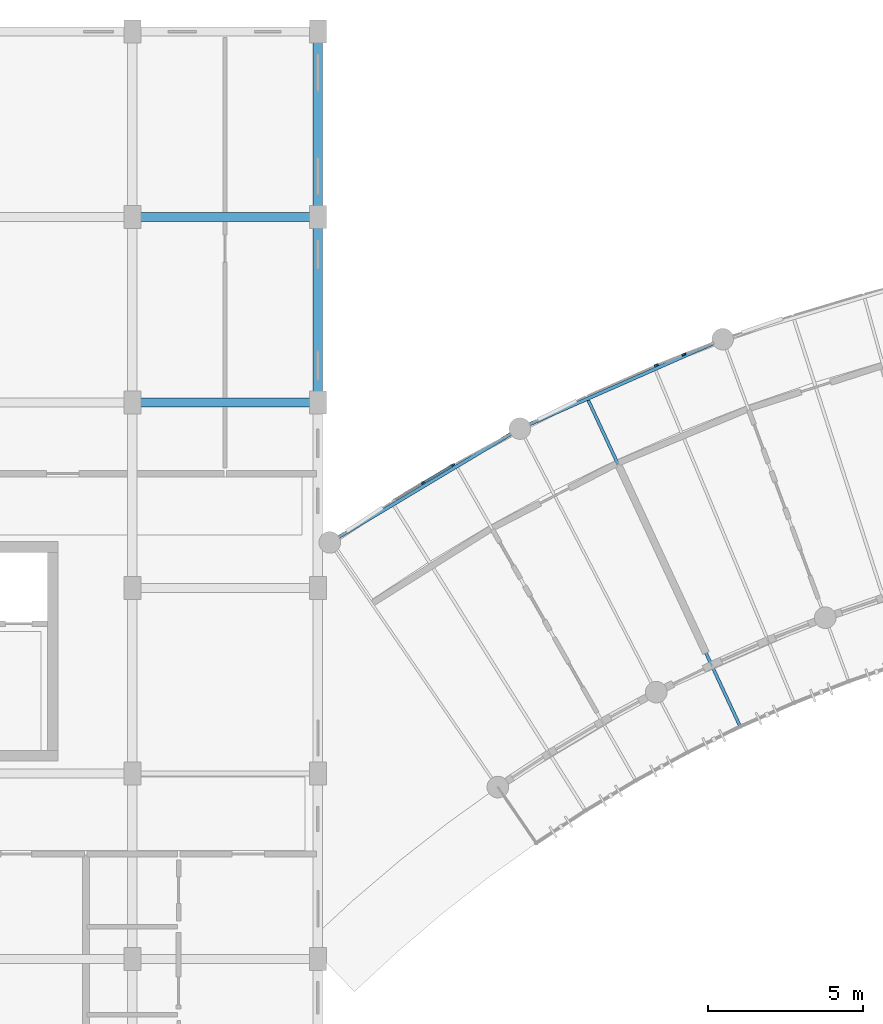
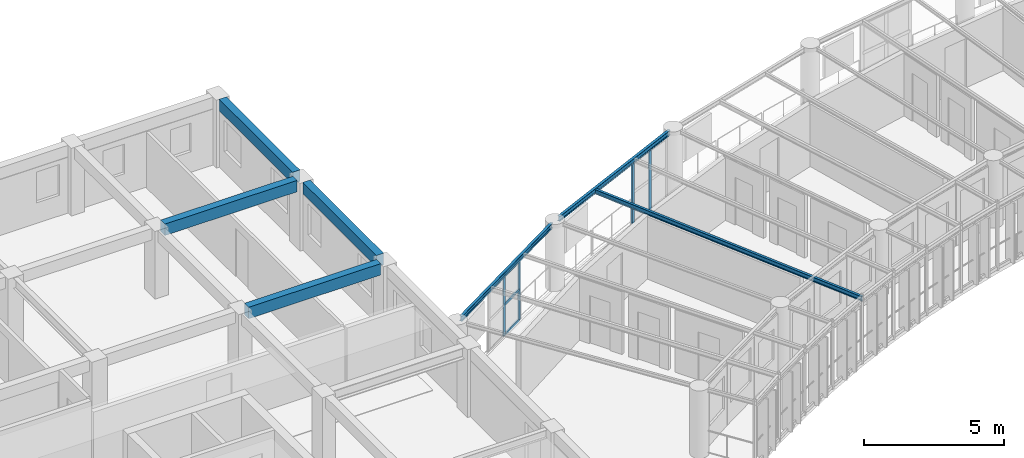
# One storey, part 31 of 100: 7 beams, 7 members, 2 elements without a shape of their own.
"""IFC4 building model written with IfcOpenShell, lengths in metres."""

import ifcopenshell
import ifcopenshell.guid

model = None  # the IFC model being written
_history = None  # IfcOwnerHistory: only IFC2X3 demands one
_inside = {}  # id of a spatial element -> (the spatial element, [elements in it])
_under = {}  # id of a project, library or spatial element -> (it, [spatial elements below it])
_declared = {}  # id of a project -> (the project, [libraries it declares])
_typed = {}  # id of a type object -> (the type object, [elements of that type])
_made_of = {}  # id of a material, layer set ... -> (it, [elements and type objects made of it])


def new_model(schema):
    """Start an empty IFC model of exactly this schema.

    Asked for "IFC4X3", IfcOpenShell would pick the latest addendum, in which some entities
    have other attributes; the version numbers below select the first issue.
    IFC2X3 requires an IfcOwnerHistory on every rooted entity: one is made here for all.
    """
    global model, _history
    if schema == "IFC4X3":
        model = ifcopenshell.file(schema_version=(4, 3, 0, 0))
    else:
        model = ifcopenshell.file(schema=schema)
    _inside.clear()
    _under.clear()
    _declared.clear()
    _typed.clear()
    _made_of.clear()
    _history = None
    if model.schema == "IFC2X3":
        org = make("IfcOrganization", Name="unknown")
        user = make(
            "IfcPersonAndOrganization",
            ThePerson=make("IfcPerson", FamilyName="unknown"),
            TheOrganization=org,
        )
        app = make(
            "IfcApplication",
            ApplicationDeveloper=org,
            Version="unknown",
            ApplicationFullName="unknown",
            ApplicationIdentifier="unknown",
        )
        _history = make(
            "IfcOwnerHistory",
            OwningUser=user,
            OwningApplication=app,
            ChangeAction="ADDED",
            CreationDate=0,
        )
    return model


def make(cls, **values):
    """One entity of the class cls with the attributes given. An attribute that is None is left unset."""
    return model.create_entity(
        cls, **{name: value for name, value in values.items() if value is not None}
    )


def rooted(cls, **values):
    """An entity with a GlobalId (a new one), such as an element, a storey or a relation."""
    return make(cls, GlobalId=ifcopenshell.guid.new(), OwnerHistory=_history, **values)


def si_unit(unit_type, name, prefix=None):
    """IfcSIUnit, for example si_unit("LENGTHUNIT", "METRE", prefix="MILLI")."""
    return make("IfcSIUnit", UnitType=unit_type, Prefix=prefix, Name=name)


def assignment(units):
    """IfcUnitAssignment: the units of a project."""
    return None if units is None else make("IfcUnitAssignment", Units=units)


def point(xyz):
    """IfcCartesianPoint."""
    return None if xyz is None else make("IfcCartesianPoint", Coordinates=xyz)


def direction(xyz):
    """IfcDirection."""
    return None if xyz is None else make("IfcDirection", DirectionRatios=xyz)


def frame(location, z_axis=None, x_axis=None):
    """IfcAxis2Placement3D, a coordinate frame: its origin and axes. An axis left out is left unset."""
    return make(
        "IfcAxis2Placement3D",
        Location=point(location),
        Axis=direction(z_axis),
        RefDirection=direction(x_axis),
    )


def frame_2d(location, x_axis=None):
    """IfcAxis2Placement2D, a coordinate frame in the plane: its origin and x axis."""
    return make(
        "IfcAxis2Placement2D", Location=point(location), RefDirection=direction(x_axis)
    )


def origin():
    """The frame at (0, 0, 0) with its axes left unset."""
    return frame((0.0, 0.0, 0.0))


def origin_2d():
    """The frame at (0, 0) in the plane with its x axis left unset."""
    return frame_2d((0.0, 0.0))


def place(relative_to, where):
    """IfcLocalPlacement: puts the frame where relative to a parent placement (None: the world)."""
    return make(
        "IfcLocalPlacement", PlacementRelTo=relative_to, RelativePlacement=where
    )


def context(
    kind, dimensions, precision=None, world=None, true_north=None, identifier=None
):
    """IfcGeometricRepresentationContext, for example the 3D "Model" context."""
    return make(
        "IfcGeometricRepresentationContext",
        ContextIdentifier=identifier,
        ContextType=kind,
        CoordinateSpaceDimension=dimensions,
        Precision=precision,
        WorldCoordinateSystem=world,
        TrueNorth=true_north,
    )


def subcontext(parent, identifier, kind, view, scale=None):
    """IfcGeometricRepresentationSubContext, for example "Body" below "Model"."""
    return make(
        "IfcGeometricRepresentationSubContext",
        ContextIdentifier=identifier,
        ContextType=kind,
        ParentContext=parent,
        TargetScale=scale,
        TargetView=view,
    )


def project(units=None, contexts=None):
    """IfcProject with its units and contexts."""
    return rooted(
        "IfcProject",
        Name="project",
        RepresentationContexts=contexts,
        UnitsInContext=assignment(units),
    )


def spatial(cls, under=None, at=None, **own):
    """A site, building, storey or space (cls), placed at a placement, below another one or the project."""
    s = rooted(cls, ObjectPlacement=at, **own)
    if under is not None:
        _under.setdefault(under.id(), (under, []))[1].append(s)
    return s


def profile(cls, at=None, kind="AREA", **sizes):
    """A parametric profile (cls). Its sizes go by their IFC names, for example OverallWidth=200.0."""
    return make(cls, ProfileType=kind, Position=at, **sizes)


def rectangle(**sizes):
    """IfcRectangleProfileDef."""
    return profile("IfcRectangleProfileDef", **sizes)


def i_section(**sizes):
    """IfcIShapeProfileDef."""
    return profile("IfcIShapeProfileDef", **sizes)


def extrude(swept, where, along, depth):
    """IfcExtrudedAreaSolid: the profile swept, set in the frame where, extruded along a direction by depth."""
    return make(
        "IfcExtrudedAreaSolid",
        SweptArea=swept,
        Position=where,
        ExtrudedDirection=direction(along),
        Depth=depth,
    )


def shape(context_of_items, identifier, shape_type, items):
    """IfcShapeRepresentation: the items that make up one representation, for example the "Body"."""
    return make(
        "IfcShapeRepresentation",
        ContextOfItems=context_of_items,
        RepresentationIdentifier=identifier,
        RepresentationType=shape_type,
        Items=items,
    )


def material(Name=None, Category=None):
    """IfcMaterial."""
    return make("IfcMaterial", Name=Name, Category=Category)


def layer(
    of_material, thickness, ventilated=None, Name=None, Category=None, Priority=None
):
    """IfcMaterialLayer: one layer of a wall or slab, of a material (None: an air gap)."""
    return make(
        "IfcMaterialLayer",
        Material=of_material,
        LayerThickness=thickness,
        IsVentilated=ventilated,
        Name=Name,
        Category=Category,
        Priority=Priority,
    )


def layer_set(layers, Name=None):
    """IfcMaterialLayerSet."""
    return make("IfcMaterialLayerSet", MaterialLayers=layers, LayerSetName=Name)


def material_profile(
    of_material, cross_section, Name=None, Category=None, Priority=None
):
    """IfcMaterialProfile: a cross section and its material."""
    return make(
        "IfcMaterialProfile",
        Name=Name,
        Material=of_material,
        Profile=cross_section,
        Priority=Priority,
        Category=Category,
    )


def profile_set(profiles, Name=None, composite=None):
    """IfcMaterialProfileSet."""
    return make(
        "IfcMaterialProfileSet",
        Name=Name,
        MaterialProfiles=profiles,
        CompositeProfile=composite,
    )


def made_of(thing, what):
    """Note that an element or type object is made of a material, layer set ...; save() writes the relation."""
    if what is not None:
        _made_of.setdefault(what.id(), (what, []))[1].append(thing)
    return thing


def type_object(cls, material=None, **own):
    """A type object (cls), such as IfcWallType, which elements share."""
    return made_of(rooted(cls, **own), material)


def element(
    cls,
    number,
    at=None,
    inside=None,
    cuts=None,
    type_object=None,
    material=None,
    context=None,
    identifier="Body",
    shape_type=None,
    held_by="IfcProductDefinitionShape",
    body=None,
    shapes=None,
    **own,
):
    """One element of the class cls, such as IfcWall. Its Tag is "e" and its number.

    at: its placement. inside: the storey or other place that contains it. cuts: it is an
    opening in that element (IfcRelVoidsElement). A single representation is given by context,
    identifier, shape_type and body (its items); several are given by shapes. held_by: the class
    of the entity that holds the representations. save() writes the other relations.
    """
    e = rooted(cls, Tag="e%d" % number, ObjectPlacement=at, **own)
    if body is not None:
        shapes = [shape(context, identifier, shape_type, body)]
    if shapes is not None:
        e.Representation = make(held_by, Representations=shapes)
    if inside is not None:
        _inside.setdefault(inside.id(), (inside, []))[1].append(e)
    if cuts is not None:
        rooted(
            "IfcRelVoidsElement", RelatingBuildingElement=cuts, RelatedOpeningElement=e
        )
    if type_object is not None:
        _typed.setdefault(type_object.id(), (type_object, []))[1].append(e)
    return made_of(e, material)


def aggregate(whole, parts):
    """IfcRelAggregates: a whole, such as a stair, and the parts it consists of."""
    return rooted("IfcRelAggregates", RelatingObject=whole, RelatedObjects=parts)


def save(model, path):
    """Write the relations noted so far, then the file.

    IfcRelAggregates (storeys below a building ...), IfcRelContainedInSpatialStructure (elements
    in a storey), IfcRelDefinesByType, IfcRelAssociatesMaterial and IfcRelDeclares: one each for
    every whole, place, type object, material and project.
    """
    for whole, parts in _under.values():
        aggregate(whole, parts)
    for where, things in _inside.values():
        rooted(
            "IfcRelContainedInSpatialStructure",
            RelatedElements=things,
            RelatingStructure=where,
        )
    for kind, things in _typed.values():
        rooted("IfcRelDefinesByType", RelatedObjects=things, RelatingType=kind)
    for what, things in _made_of.values():
        rooted("IfcRelAssociatesMaterial", RelatedObjects=things, RelatingMaterial=what)
    for by, libraries in _declared.values():
        rooted("IfcRelDeclares", RelatingContext=by, RelatedDefinitions=libraries)
    model.write(path)


model = new_model("IFC4")

# Units and contexts
model_context = context("Model", 3, precision=1e-05, world=origin(), true_north=direction((0.0, 1.0)))
body_context = subcontext(model_context, "Body", "Model", "MODEL_VIEW")
ifc_project = project(units=[si_unit("LENGTHUNIT", "METRE"), si_unit("AREAUNIT", "SQUARE_METRE"), si_unit("VOLUMEUNIT", "CUBIC_METRE"), si_unit("PLANEANGLEUNIT", "RADIAN"), si_unit("MASSUNIT", "GRAM", prefix="KILO"), si_unit("POWERUNIT", "WATT"), si_unit("THERMODYNAMICTEMPERATUREUNIT", "KELVIN")], contexts=[model_context])

# Site, building, storey
site_placement = place(None, origin())
site = spatial("IfcSite", under=ifc_project, at=site_placement, CompositionType="ELEMENT")
building_placement = place(site_placement, origin())
building = spatial("IfcBuilding", under=site, at=building_placement, Name="Ruvembo Vaulted Housing Court", CompositionType="ELEMENT")
storey_placement = place(building_placement, frame((0.0, 0.0, 10.89990234375)))
storey = spatial("IfcBuildingStorey", under=building, at=storey_placement, Name="L03", CompositionType="ELEMENT", Elevation=10.89990234375)

# Beams
ifc_material_1 = material(Name="Steel S355J2", Category="steel")
ifc_material_profile_1 = material_profile(ifc_material_1, i_section(OverallWidth=0.10009765625, OverallDepth=0.199951171875, WebThickness=0.005615234375, FlangeThickness=0.008544921875, FilletRadius=0.011962890625, at=origin_2d()), Name="IPE 200")
ifc_profile_set_1 = profile_set([ifc_material_profile_1], Name="Steel S355J2")
beam_type_1 = type_object("IfcBeamType", Name="BM-ST-IPE200", PredefinedType="BEAM", material=ifc_profile_set_1)
beam_placement = place(storey_placement, frame((92.744873046875, 102.07958984375, 2.840087890625), z_axis=(0.422190259357, -0.906507244816, 0.0), x_axis=(0.906507244816, 0.422190259357, 0.0)))
element("IfcBeam", 1, at=beam_placement, inside=storey, type_object=beam_type_1, Name="Scoop SC3 L03 Radial Steel Joist 4", PredefinedType="BEAM", context=body_context, shape_type="SweptSolid", body=[
    extrude(i_section(OverallWidth=0.10009765625, OverallDepth=0.199951171875, WebThickness=0.005615234375, FlangeThickness=0.008544921875, FilletRadius=0.011962890625, at=origin_2d()), origin(), (0.0, 0.0, 1.0), 11.69091796875),
])
ifc_material_profile_2 = material_profile(ifc_material_1, i_section(OverallWidth=0.110107421875, OverallDepth=0.219970703125, WebThickness=0.005859375, FlangeThickness=0.00927734375, FilletRadius=0.011962890625, at=origin_2d()), Name="IPE 220")
ifc_profile_set_2 = profile_set([ifc_material_profile_2], Name="Steel S355J2")
beam_type_2 = type_object("IfcBeamType", Name="BM-ST-IPE220", PredefinedType="SPANDREL", material=ifc_profile_set_2)
for number, where, z_axis, x_axis, name in (
    (2, (84.58349609375, 97.595703125, 2.83203125), (0.857906892843, 0.513805180213, 0.0), (-0.513805180213, 0.857906892843, 0.0), "Scoop SC3 L03 Chord Girder B0"),
    (3, (90.746337890625, 101.25341796875, 2.83203125), (0.915078219063, 0.403276397767, 0.0), (-0.403276397767, 0.915078219063, 0.0), "Scoop SC3 L03 Chord Girder B3"),
):
    element("IfcBeam", number, at=place(storey_placement, frame(where, z_axis=z_axis, x_axis=x_axis)), inside=storey, type_object=beam_type_2, Name=name, PredefinedType="SPANDREL", context=body_context, shape_type="SweptSolid", body=[
        extrude(i_section(OverallWidth=0.110107421875, OverallDepth=0.219970703125, WebThickness=0.005859375, FlangeThickness=0.00927734375, FilletRadius=0.011962890625, at=origin_2d()), origin(), (0.0, 0.0, 1.0), 6.708251953125),
    ])

# Curtain wall, members
ifc_material_2 = material(Name="Anodised Aluminium and Solar-Control Glass", Category="aluminium")
ifc_layer = layer(ifc_material_2, 0.1201171875, Name="Anodised Aluminium and Solar-Control Glass")
ifc_layer_set = layer_set([ifc_layer], Name="Anodised Aluminium and Solar-Control Glass")
curtain_wall_type = type_object("IfcCurtainWallType", Name="CW-SCOOP-GAL", PredefinedType="NOTDEFINED", material=ifc_layer_set)
curtain_wall_1_placement = place(storey_placement, origin())
curtain_wall_1 = element("IfcCurtainWall", 4, at=curtain_wall_1_placement, inside=storey, type_object=curtain_wall_type, Name="L03 Curtain Wall CW-L03-0071", PredefinedType="NOTDEFINED")
ifc_material_3 = material(Name="Anodised Aluminium 6063-T6", Category="aluminium")
ifc_material_profile_3 = material_profile(ifc_material_3, rectangle(XDim=0.054931640625, YDim=0.1201171875, at=origin_2d()), Name="ALU 55x120")
ifc_profile_set_3 = profile_set([ifc_material_profile_3], Name="Anodised Aluminium 6063-T6")
member_type_1 = type_object("IfcMemberType", Name="CW-MUL-55x120", PredefinedType="MULLION", material=ifc_profile_set_3)
member_1_placement = place(storey_placement, frame((87.41015625, 99.404052734375, 0.0), z_axis=(0.0, 0.0, 1.0), x_axis=(-0.513827980288, 0.85789323734, 0.0)))
member_1 = element("IfcMember", 5, at=member_1_placement, type_object=member_type_1, Name="CW6 mullion 2", PredefinedType="MULLION", context=body_context, shape_type="SweptSolid", body=[
    extrude(rectangle(XDim=0.054931640625, YDim=0.1201171875, at=origin_2d()), origin(), (0.0, 0.0, 1.0), 2.697998046875),
])
member_2_placement = place(storey_placement, frame((88.369140625, 99.978515625, 0.0), z_axis=(0.0, 0.0, 1.0), x_axis=(-0.513827980288, 0.85789323734, 0.0)))
member_2 = element("IfcMember", 6, at=member_2_placement, type_object=member_type_1, Name="CW6 mullion 3", PredefinedType="MULLION", context=body_context, shape_type="SweptSolid", body=[
    extrude(rectangle(XDim=0.054931640625, YDim=0.1201171875, at=origin_2d()), origin(), (0.0, 0.0, 1.0), 2.697998046875),
])

curtain_wall_2_placement = place(storey_placement, origin())
curtain_wall_2 = element("IfcCurtainWall", 7, at=curtain_wall_2_placement, inside=storey, type_object=curtain_wall_type, Name="L03 Curtain Wall CW-L03-0072", PredefinedType="NOTDEFINED")
ifc_material_profile_4 = material_profile(ifc_material_3, rectangle(XDim=0.06005859375, YDim=0.139892578125, at=origin_2d()), Name="ALU 60x140")
ifc_profile_set_4 = profile_set([ifc_material_profile_4], Name="Anodised Aluminium 6063-T6")
member_type_2 = type_object("IfcMemberType", Name="CW-MUL-60x140", PredefinedType="MULLION", material=ifc_profile_set_4)
member_3_placement = place(storey_placement, frame((94.944091796875, 103.208251953125, 0.0), z_axis=(0.0, 0.0, 1.0), x_axis=(-0.365033747989, 0.930994287216, 0.0)))
member_3 = element("IfcMember", 8, at=member_3_placement, type_object=member_type_2, Name="CW6 mullion 1", PredefinedType="MULLION", context=body_context, shape_type="SweptSolid", body=[
    extrude(rectangle(XDim=0.06005859375, YDim=0.139892578125, at=origin_2d()), origin(), (0.0, 0.0, 1.0), 2.697998046875),
])
member_4_placement = place(storey_placement, frame((95.843017578125, 103.560546875, 0.0), z_axis=(0.0, 0.0, 1.0), x_axis=(-0.365033747989, 0.930994287216, 0.0)))
member_4 = element("IfcMember", 9, at=member_4_placement, type_object=member_type_2, Name="CW6 mullion 2", PredefinedType="MULLION", context=body_context, shape_type="SweptSolid", body=[
    extrude(rectangle(XDim=0.06005859375, YDim=0.139892578125, at=origin_2d()), origin(), (0.0, 0.0, 1.0), 2.697998046875),
])
aggregate(curtain_wall_2, [member_3, member_4])

# Member
ifc_material_profile_5 = material_profile(ifc_material_3, rectangle(XDim=0.06005859375, YDim=0.10009765625, at=origin_2d()), Name="ALU 60x100")
ifc_profile_set_5 = profile_set([ifc_material_profile_5], Name="Anodised Aluminium 6063-T6")
member_type_3 = type_object("IfcMemberType", Name="CW-TRN-60x100", PredefinedType="USERDEFINED", material=ifc_profile_set_5)
member_5_placement = place(storey_placement, frame((87.43359375, 99.418212890625, 0.030029296875), z_axis=(0.857897997653, 0.513820032329, 0.0), x_axis=(-0.513820032329, 0.857897997653, 0.0)))
member_5 = element("IfcMember", 10, at=member_5_placement, type_object=member_type_3, Name="CW6 transom 2.1", ObjectType="TRANSOM", PredefinedType="USERDEFINED", context=body_context, shape_type="SweptSolid", body=[
    extrude(rectangle(XDim=0.06005859375, YDim=0.10009765625, at=origin_2d()), origin(), (0.0, 0.0, 1.0), 1.06298828125),
])

member_6_placement = place(storey_placement, frame((87.43359375, 99.418212890625, 1.34912109375), z_axis=(0.857897997653, 0.513820032329, 0.0), x_axis=(-0.513820032329, 0.857897997653, 0.0)))
member_6 = element("IfcMember", 11, at=member_6_placement, type_object=member_type_3, Name="CW6 transom 2.2", ObjectType="TRANSOM", PredefinedType="USERDEFINED", context=body_context, shape_type="SweptSolid", body=[
    extrude(rectangle(XDim=0.06005859375, YDim=0.10009765625, at=origin_2d()), origin(), (0.0, 0.0, 1.0), 1.06298828125),
])

member_7_placement = place(storey_placement, frame((87.43359375, 99.418212890625, 2.668212890625), z_axis=(0.857897997653, 0.513820032329, 0.0), x_axis=(-0.513820032329, 0.857897997653, 0.0)))
member_7 = element("IfcMember", 12, at=member_7_placement, type_object=member_type_3, Name="CW6 transom 2.3", ObjectType="TRANSOM", PredefinedType="USERDEFINED", context=body_context, shape_type="SweptSolid", body=[
    extrude(rectangle(XDim=0.06005859375, YDim=0.10009765625, at=origin_2d()), origin(), (0.0, 0.0, 1.0), 1.06298828125),
])

aggregate(curtain_wall_1, [member_1, member_2, member_5, member_6, member_7])

# Beams
ifc_material_4 = material(Name="Concrete C35/45", Category="concrete")
ifc_material_profile_6 = material_profile(ifc_material_4, rectangle(XDim=0.300048828125, YDim=0.5, at=origin_2d()), Name="RC 300x500")
ifc_profile_set_6 = profile_set([ifc_material_profile_6], Name="Concrete C35/45")
beam_type_3 = type_object("IfcBeamType", Name="SP-RC-300x500", PredefinedType="SPANDREL", material=ifc_profile_set_6)
for number, where, z_axis, x_axis, name in (
    (13, (78.260009765625, 102.0, 2.710205078125), (1.0, 0.0, 0.0), (0.0, 1.0, 0.0), "L03 Grid Beam X #1832"),
    (14, (78.260009765625, 108.0, 2.710205078125), (1.0, 0.0, 0.0), (0.0, 1.0, 0.0), "L03 Grid Beam X #1844"),
):
    element("IfcBeam", number, at=place(storey_placement, frame(where, z_axis=z_axis, x_axis=x_axis)), inside=storey, type_object=beam_type_3, Name=name, PredefinedType="SPANDREL", context=body_context, shape_type="SweptSolid", body=[
        extrude(rectangle(XDim=0.300048828125, YDim=0.5, at=origin_2d()), origin(), (0.0, 0.0, 1.0), 5.47998046875),
    ])
for number, where, z_axis, x_axis, name in (
    (15, (84.0, 102.360107421875, 2.710205078125), (0.0, 1.0, 0.0), (-1.0, 0.0, 0.0), "L03 Grid Beam Y #1925"),
    (16, (84.0, 108.360107421875, 2.710205078125), (0.0, 1.0, 0.0), (-1.0, 0.0, 0.0), "L03 Grid Beam Y #1926"),
):
    element("IfcBeam", number, at=place(storey_placement, frame(where, z_axis=z_axis, x_axis=x_axis)), inside=storey, type_object=beam_type_3, Name=name, PredefinedType="SPANDREL", context=body_context, shape_type="SweptSolid", body=[
        extrude(rectangle(XDim=0.300048828125, YDim=0.5, at=origin_2d()), origin(), (0.0, 0.0, 1.0), 5.27978515625),
    ])

save(model, "model.ifc")
